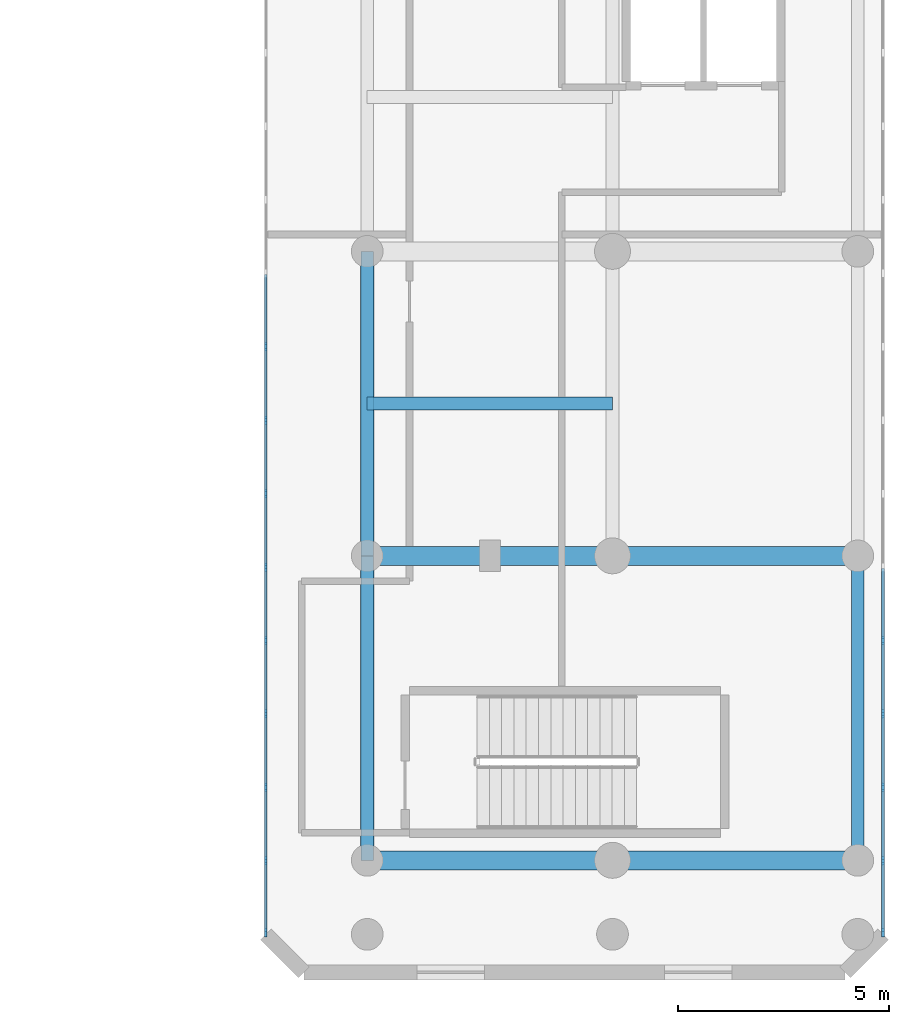
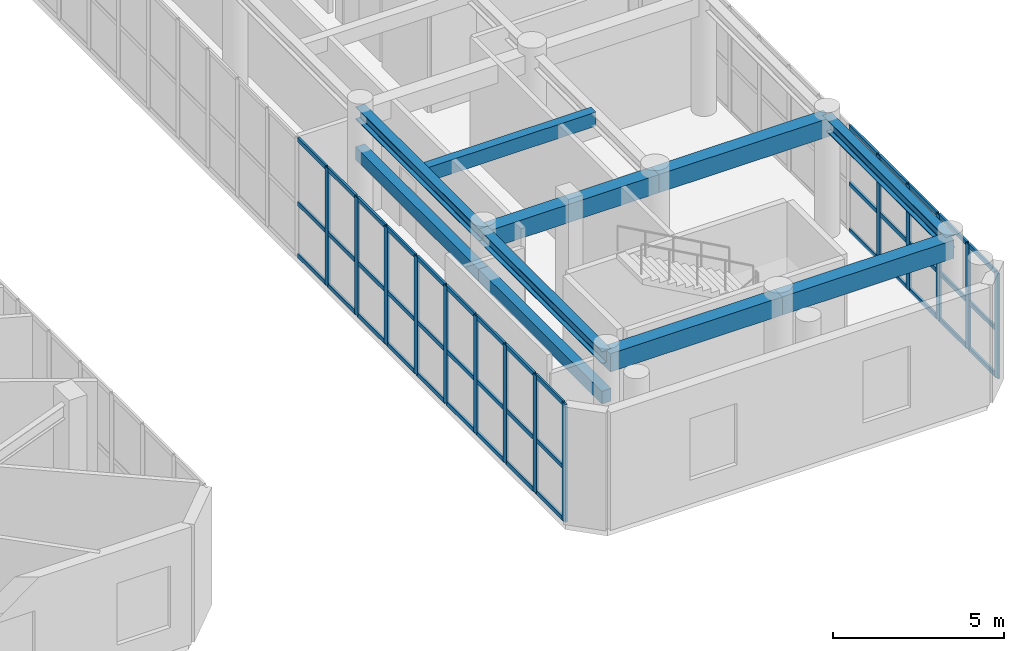
# One storey, part 6 of 26: 56 members, 10 beams, 2 elements without a shape of their own.
"""IFC4 building model written with IfcOpenShell, lengths in metres."""

import ifcopenshell
import ifcopenshell.guid

model = None  # the IFC model being written
_history = None  # IfcOwnerHistory: only IFC2X3 demands one
_inside = {}  # id of a spatial element -> (the spatial element, [elements in it])
_under = {}  # id of a project, library or spatial element -> (it, [spatial elements below it])
_declared = {}  # id of a project -> (the project, [libraries it declares])
_typed = {}  # id of a type object -> (the type object, [elements of that type])
_made_of = {}  # id of a material, layer set ... -> (it, [elements and type objects made of it])


def new_model(schema):
    """Start an empty IFC model of exactly this schema.

    Asked for "IFC4X3", IfcOpenShell would pick the latest addendum, in which some entities
    have other attributes; the version numbers below select the first issue.
    IFC2X3 requires an IfcOwnerHistory on every rooted entity: one is made here for all.
    """
    global model, _history
    if schema == "IFC4X3":
        model = ifcopenshell.file(schema_version=(4, 3, 0, 0))
    else:
        model = ifcopenshell.file(schema=schema)
    _inside.clear()
    _under.clear()
    _declared.clear()
    _typed.clear()
    _made_of.clear()
    _history = None
    if model.schema == "IFC2X3":
        org = make("IfcOrganization", Name="unknown")
        user = make(
            "IfcPersonAndOrganization",
            ThePerson=make("IfcPerson", FamilyName="unknown"),
            TheOrganization=org,
        )
        app = make(
            "IfcApplication",
            ApplicationDeveloper=org,
            Version="unknown",
            ApplicationFullName="unknown",
            ApplicationIdentifier="unknown",
        )
        _history = make(
            "IfcOwnerHistory",
            OwningUser=user,
            OwningApplication=app,
            ChangeAction="ADDED",
            CreationDate=0,
        )
    return model


def make(cls, **values):
    """One entity of the class cls with the attributes given. An attribute that is None is left unset."""
    return model.create_entity(
        cls, **{name: value for name, value in values.items() if value is not None}
    )


def rooted(cls, **values):
    """An entity with a GlobalId (a new one), such as an element, a storey or a relation."""
    return make(cls, GlobalId=ifcopenshell.guid.new(), OwnerHistory=_history, **values)


def si_unit(unit_type, name, prefix=None):
    """IfcSIUnit, for example si_unit("LENGTHUNIT", "METRE", prefix="MILLI")."""
    return make("IfcSIUnit", UnitType=unit_type, Prefix=prefix, Name=name)


def assignment(units):
    """IfcUnitAssignment: the units of a project."""
    return None if units is None else make("IfcUnitAssignment", Units=units)


def point(xyz):
    """IfcCartesianPoint."""
    return None if xyz is None else make("IfcCartesianPoint", Coordinates=xyz)


def direction(xyz):
    """IfcDirection."""
    return None if xyz is None else make("IfcDirection", DirectionRatios=xyz)


def frame(location, z_axis=None, x_axis=None):
    """IfcAxis2Placement3D, a coordinate frame: its origin and axes. An axis left out is left unset."""
    return make(
        "IfcAxis2Placement3D",
        Location=point(location),
        Axis=direction(z_axis),
        RefDirection=direction(x_axis),
    )


def frame_2d(location, x_axis=None):
    """IfcAxis2Placement2D, a coordinate frame in the plane: its origin and x axis."""
    return make(
        "IfcAxis2Placement2D", Location=point(location), RefDirection=direction(x_axis)
    )


def origin():
    """The frame at (0, 0, 0) with its axes left unset."""
    return frame((0.0, 0.0, 0.0))


def origin_with_axes():
    """The frame at (0, 0, 0) with the z axis (0, 0, 1) and the x axis (1, 0, 0) written out."""
    return frame((0.0, 0.0, 0.0), z_axis=(0.0, 0.0, 1.0), x_axis=(1.0, 0.0, 0.0))


def origin_2d():
    """The frame at (0, 0) in the plane with its x axis left unset."""
    return frame_2d((0.0, 0.0))


def place(relative_to, where):
    """IfcLocalPlacement: puts the frame where relative to a parent placement (None: the world)."""
    return make(
        "IfcLocalPlacement", PlacementRelTo=relative_to, RelativePlacement=where
    )


def context(
    kind, dimensions, precision=None, world=None, true_north=None, identifier=None
):
    """IfcGeometricRepresentationContext, for example the 3D "Model" context."""
    return make(
        "IfcGeometricRepresentationContext",
        ContextIdentifier=identifier,
        ContextType=kind,
        CoordinateSpaceDimension=dimensions,
        Precision=precision,
        WorldCoordinateSystem=world,
        TrueNorth=true_north,
    )


def subcontext(parent, identifier, kind, view, scale=None):
    """IfcGeometricRepresentationSubContext, for example "Body" below "Model"."""
    return make(
        "IfcGeometricRepresentationSubContext",
        ContextIdentifier=identifier,
        ContextType=kind,
        ParentContext=parent,
        TargetScale=scale,
        TargetView=view,
    )


def project(units=None, contexts=None):
    """IfcProject with its units and contexts."""
    return rooted(
        "IfcProject",
        Name="project",
        RepresentationContexts=contexts,
        UnitsInContext=assignment(units),
    )


def spatial(cls, under=None, at=None, **own):
    """A site, building, storey or space (cls), placed at a placement, below another one or the project."""
    s = rooted(cls, ObjectPlacement=at, **own)
    if under is not None:
        _under.setdefault(under.id(), (under, []))[1].append(s)
    return s


def profile(cls, at=None, kind="AREA", **sizes):
    """A parametric profile (cls). Its sizes go by their IFC names, for example OverallWidth=200.0."""
    return make(cls, ProfileType=kind, Position=at, **sizes)


def rectangle(**sizes):
    """IfcRectangleProfileDef."""
    return profile("IfcRectangleProfileDef", **sizes)


def i_section(**sizes):
    """IfcIShapeProfileDef."""
    return profile("IfcIShapeProfileDef", **sizes)


def extrude(swept, where, along, depth):
    """IfcExtrudedAreaSolid: the profile swept, set in the frame where, extruded along a direction by depth."""
    return make(
        "IfcExtrudedAreaSolid",
        SweptArea=swept,
        Position=where,
        ExtrudedDirection=direction(along),
        Depth=depth,
    )


def shape(context_of_items, identifier, shape_type, items):
    """IfcShapeRepresentation: the items that make up one representation, for example the "Body"."""
    return make(
        "IfcShapeRepresentation",
        ContextOfItems=context_of_items,
        RepresentationIdentifier=identifier,
        RepresentationType=shape_type,
        Items=items,
    )


def source(mapping_origin, context_of_items, identifier, shape_type, items):
    """IfcRepresentationMap: a shape defined once, which mapped items show again and again."""
    return make(
        "IfcRepresentationMap",
        MappingOrigin=mapping_origin,
        MappedRepresentation=shape(context_of_items, identifier, shape_type, items),
    )


def transform(
    local_origin,
    x_axis=None,
    y_axis=None,
    z_axis=None,
    scale=None,
    scale2=None,
    scale3=None,
    uniform=True,
):
    """IfcCartesianTransformationOperator3D, or its non-uniform kind. x_axis, y_axis, z_axis: its Axis1, 2, 3."""
    if uniform:
        return make(
            "IfcCartesianTransformationOperator3D",
            Axis1=direction(x_axis),
            Axis2=direction(y_axis),
            LocalOrigin=point(local_origin),
            Scale=scale,
            Axis3=direction(z_axis),
        )
    return make(
        "IfcCartesianTransformationOperator3DnonUniform",
        Axis1=direction(x_axis),
        Axis2=direction(y_axis),
        LocalOrigin=point(local_origin),
        Scale=scale,
        Axis3=direction(z_axis),
        Scale2=scale2,
        Scale3=scale3,
    )


def mapped(mapping_source, mapping_target):
    """IfcMappedItem: shows the shape of a source again, moved by a transform."""
    return make(
        "IfcMappedItem", MappingSource=mapping_source, MappingTarget=mapping_target
    )


def material(Name=None, Category=None):
    """IfcMaterial."""
    return make("IfcMaterial", Name=Name, Category=Category)


def layer(
    of_material, thickness, ventilated=None, Name=None, Category=None, Priority=None
):
    """IfcMaterialLayer: one layer of a wall or slab, of a material (None: an air gap)."""
    return make(
        "IfcMaterialLayer",
        Material=of_material,
        LayerThickness=thickness,
        IsVentilated=ventilated,
        Name=Name,
        Category=Category,
        Priority=Priority,
    )


def layer_set(layers, Name=None):
    """IfcMaterialLayerSet."""
    return make("IfcMaterialLayerSet", MaterialLayers=layers, LayerSetName=Name)


def material_profile(
    of_material, cross_section, Name=None, Category=None, Priority=None
):
    """IfcMaterialProfile: a cross section and its material."""
    return make(
        "IfcMaterialProfile",
        Name=Name,
        Material=of_material,
        Profile=cross_section,
        Priority=Priority,
        Category=Category,
    )


def profile_set(profiles, Name=None, composite=None):
    """IfcMaterialProfileSet."""
    return make(
        "IfcMaterialProfileSet",
        Name=Name,
        MaterialProfiles=profiles,
        CompositeProfile=composite,
    )


def made_of(thing, what):
    """Note that an element or type object is made of a material, layer set ...; save() writes the relation."""
    if what is not None:
        _made_of.setdefault(what.id(), (what, []))[1].append(thing)
    return thing


def type_object(cls, material=None, **own):
    """A type object (cls), such as IfcWallType, which elements share."""
    return made_of(rooted(cls, **own), material)


def element(
    cls,
    number,
    at=None,
    inside=None,
    cuts=None,
    type_object=None,
    material=None,
    context=None,
    identifier="Body",
    shape_type=None,
    held_by="IfcProductDefinitionShape",
    body=None,
    shapes=None,
    **own,
):
    """One element of the class cls, such as IfcWall. Its Tag is "e" and its number.

    at: its placement. inside: the storey or other place that contains it. cuts: it is an
    opening in that element (IfcRelVoidsElement). A single representation is given by context,
    identifier, shape_type and body (its items); several are given by shapes. held_by: the class
    of the entity that holds the representations. save() writes the other relations.
    """
    e = rooted(cls, Tag="e%d" % number, ObjectPlacement=at, **own)
    if body is not None:
        shapes = [shape(context, identifier, shape_type, body)]
    if shapes is not None:
        e.Representation = make(held_by, Representations=shapes)
    if inside is not None:
        _inside.setdefault(inside.id(), (inside, []))[1].append(e)
    if cuts is not None:
        rooted(
            "IfcRelVoidsElement", RelatingBuildingElement=cuts, RelatedOpeningElement=e
        )
    if type_object is not None:
        _typed.setdefault(type_object.id(), (type_object, []))[1].append(e)
    return made_of(e, material)


def aggregate(whole, parts):
    """IfcRelAggregates: a whole, such as a stair, and the parts it consists of."""
    return rooted("IfcRelAggregates", RelatingObject=whole, RelatedObjects=parts)


def save(model, path):
    """Write the relations noted so far, then the file.

    IfcRelAggregates (storeys below a building ...), IfcRelContainedInSpatialStructure (elements
    in a storey), IfcRelDefinesByType, IfcRelAssociatesMaterial and IfcRelDeclares: one each for
    every whole, place, type object, material and project.
    """
    for whole, parts in _under.values():
        aggregate(whole, parts)
    for where, things in _inside.values():
        rooted(
            "IfcRelContainedInSpatialStructure",
            RelatedElements=things,
            RelatingStructure=where,
        )
    for kind, things in _typed.values():
        rooted("IfcRelDefinesByType", RelatedObjects=things, RelatingType=kind)
    for what, things in _made_of.values():
        rooted("IfcRelAssociatesMaterial", RelatedObjects=things, RelatingMaterial=what)
    for by, libraries in _declared.values():
        rooted("IfcRelDeclares", RelatingContext=by, RelatedDefinitions=libraries)
    model.write(path)


model = new_model("IFC4")

# Units and contexts
model_context = context("Model", 3, precision=1e-05, world=origin(), true_north=direction((0.0, 1.0)))
body_context = subcontext(model_context, "Body", "Model", "MODEL_VIEW")
ifc_project = project(units=[si_unit("LENGTHUNIT", "METRE"), si_unit("AREAUNIT", "SQUARE_METRE"), si_unit("VOLUMEUNIT", "CUBIC_METRE"), si_unit("PLANEANGLEUNIT", "RADIAN"), si_unit("MASSUNIT", "GRAM", prefix="KILO")], contexts=[model_context])

# Site, building, storey
site_placement = place(None, origin())
site = spatial("IfcSite", under=ifc_project, at=site_placement, CompositionType="ELEMENT")
building_placement = place(site_placement, origin())
building = spatial("IfcBuilding", under=site, at=building_placement, Name="Karkom Vertical University and Central Library", CompositionType="ELEMENT")
storey_placement = place(building_placement, frame((0.0, 0.0, 9.0)))
storey = spatial("IfcBuildingStorey", under=building, at=storey_placement, Name="L02", CompositionType="ELEMENT", Elevation=9.0)

# Beams
ifc_material_1 = material(Name="Concrete C40/50", Category="concrete")
ifc_material_profile_1 = material_profile(ifc_material_1, rectangle(XDim=0.449951171875, YDim=0.64990234375, at=origin_2d()), Name="RCB-450x650")
ifc_profile_set_1 = profile_set([ifc_material_profile_1], Name="Concrete C40/50")
beam_type_1 = type_object("IfcBeamType", Name="STR-BM-BG-4", PredefinedType="USERDEFINED", material=ifc_profile_set_1)
shared_shape_1 = source(origin_with_axes(), body_context, "Body", "SweptSolid", [
    extrude(rectangle(XDim=0.449951171875, YDim=0.64990234375, at=origin_2d()), origin(), (0.0, 0.0, 1.0), 5.7998046875),
])
for number, where, z_axis, x_axis, name in (
    (1, (69.60009765625, 4.800048828125, 3.875), (1.0, 0.0, 0.0), (0.0, 1.0, 0.0), "Level 02 Library Transverse Girder 1.1"),
    (2, (69.60009765625, 12.0, 3.875), (1.0, 0.0, 0.0), (0.0, 1.0, 0.0), "Level 02 Library Transverse Girder 2.1"),
):
    element("IfcBeam", number, at=place(storey_placement, frame(where, z_axis=z_axis, x_axis=x_axis)), inside=storey, type_object=beam_type_1, Name=name, ObjectType="GIRDER", PredefinedType="USERDEFINED", context=body_context, shape_type="MappedRepresentation", body=[
        mapped(shared_shape_1, transform((0.0, 0.0, 0.0), scale=1.0)),
    ])
shared_shape_2 = source(origin_with_axes(), body_context, "Body", "SweptSolid", [
    extrude(rectangle(XDim=0.449951171875, YDim=0.64990234375, at=origin_2d()), origin(), (0.0, 0.0, 1.0), 5.800048828125),
])
for number, where, z_axis, x_axis, name in (
    (3, (75.39990234375, 4.800048828125, 3.875), (1.0, 0.0, 0.0), (0.0, 1.0, 0.0), "Level 02 Library Transverse Girder 1.2"),
    (4, (75.39990234375, 12.0, 3.875), (1.0, 0.0, 0.0), (0.0, 1.0, 0.0), "Level 02 Library Transverse Girder 2.2"),
):
    element("IfcBeam", number, at=place(storey_placement, frame(where, z_axis=z_axis, x_axis=x_axis)), inside=storey, type_object=beam_type_1, Name=name, ObjectType="GIRDER", PredefinedType="USERDEFINED", context=body_context, shape_type="MappedRepresentation", body=[
        mapped(shared_shape_2, transform((0.0, 0.0, 0.0), scale=1.0)),
    ])
ifc_material_2 = material(Name="Steel S355", Category="steel")
ifc_material_profile_2 = material_profile(ifc_material_2, i_section(OverallWidth=0.300048828125, OverallDepth=0.449951171875, WebThickness=0.013916015625, FlangeThickness=0.02587890625, FilletRadius=0.027099609375, at=origin_2d()), Name="HE 450 B")
ifc_profile_set_2 = profile_set([ifc_material_profile_2], Name="Steel S355")
beam_type_2 = type_object("IfcBeamType", Name="STR-BM-SB-HE450", PredefinedType="BEAM", material=ifc_profile_set_2)
shared_shape_3 = source(origin_with_axes(), body_context, "Body", "SweptSolid", [
    extrude(i_section(OverallWidth=0.300048828125, OverallDepth=0.449951171875, WebThickness=0.013916015625, FlangeThickness=0.02587890625, FilletRadius=0.027099609375, at=origin_2d()), origin(), (0.0, 0.0, 1.0), 7.199951171875),
])
for number, where, z_axis, x_axis, name in (
    (5, (69.60009765625, 4.800048828125, 3.97509765625), (0.0, 1.0, 0.0), (-1.0, 0.0, 0.0), "Level 02 Library Longitudinal Beam 1.1"),
    (6, (69.60009765625, 12.0, 3.97509765625), (0.0, 1.0, 0.0), (-1.0, 0.0, 0.0), "Level 02 Library Longitudinal Beam 1.2"),
    (7, (81.199951171875, 4.800048828125, 3.97509765625), (0.0, 1.0, 0.0), (-1.0, 0.0, 0.0), "Level 02 Library Longitudinal Beam 3.1"),
):
    element("IfcBeam", number, at=place(storey_placement, frame(where, z_axis=z_axis, x_axis=x_axis)), inside=storey, type_object=beam_type_2, Name=name, PredefinedType="BEAM", context=body_context, shape_type="MappedRepresentation", body=[
        mapped(shared_shape_3, transform((0.0, 0.0, 0.0), scale=1.0)),
    ])
ifc_material_profile_3 = material_profile(ifc_material_1, rectangle(XDim=0.300048828125, YDim=0.5, at=origin_2d()), Name="RCJ-300x500")
ifc_profile_set_3 = profile_set([ifc_material_profile_3], Name="Concrete C40/50")
beam_type_3 = type_object("IfcBeamType", Name="STR-BM-JS-1", PredefinedType="JOIST", material=ifc_profile_set_3)
shared_shape_4 = source(origin_with_axes(), body_context, "Body", "SweptSolid", [
    extrude(rectangle(XDim=0.300048828125, YDim=0.5, at=origin_2d()), origin(), (0.0, 0.0, 1.0), 5.7998046875),
])
beam_placement = place(storey_placement, frame((69.60009765625, 15.60009765625, 3.949951171875), z_axis=(1.0, 0.0, 0.0), x_axis=(0.0, 1.0, 0.0)))
element("IfcBeam", 8, at=beam_placement, inside=storey, type_object=beam_type_3, Name="Level 02 Library Reading Coffered Joist 2", PredefinedType="JOIST", context=body_context, shape_type="MappedRepresentation", body=[
    mapped(shared_shape_4, transform((0.0, 0.0, 0.0), scale=1.0)),
])
ifc_material_3 = material(Name="Precast concrete C45/55", Category="concrete")
ifc_material_profile_4 = material_profile(ifc_material_3, rectangle(XDim=0.320068359375, YDim=0.449951171875, at=origin_2d()), Name="RCL-320x450")
ifc_profile_set_4 = profile_set([ifc_material_profile_4], Name="Precast concrete C45/55")
beam_type_4 = type_object("IfcBeamType", Name="STR-BM-LN-1", PredefinedType="LINTEL", material=ifc_profile_set_4)
shared_shape_5 = source(origin_with_axes(), body_context, "Body", "SweptSolid", [
    extrude(rectangle(XDim=0.320068359375, YDim=0.449951171875, at=origin_2d()), origin(), (0.0, 0.0, 1.0), 7.199951171875),
])
for number, where, z_axis, x_axis, name in (
    (9, (69.60009765625, 4.800048828125, 2.550048828125), (0.0, 1.0, 0.0), (-1.0, 0.0, 0.0), "Level 02 Brutalist Concrete Portal Lintel 1"),
    (10, (69.60009765625, 12.0, 2.550048828125), (0.0, 1.0, 0.0), (-1.0, 0.0, 0.0), "Level 02 Brutalist Concrete Portal Lintel 2"),
):
    element("IfcBeam", number, at=place(storey_placement, frame(where, z_axis=z_axis, x_axis=x_axis)), inside=storey, type_object=beam_type_4, Name=name, PredefinedType="LINTEL", context=body_context, shape_type="MappedRepresentation", body=[
        mapped(shared_shape_5, transform((0.0, 0.0, 0.0), scale=1.0)),
    ])

# Curtain wall, members
ifc_material_4 = material(Name="Aluminium curtain-wall framing and low-E IGU", Category="aluminium")
ifc_layer = layer(ifc_material_4, 0.199951171875)
ifc_layer_set = layer_set([ifc_layer], Name="Aluminium curtain-wall framing and low-E IGU")
curtain_wall_type = type_object("IfcCurtainWallType", Name="ENV-CW-1", PredefinedType="USERDEFINED", material=ifc_layer_set)
curtain_wall_1_placement = place(storey_placement, origin())
curtain_wall_1 = element("IfcCurtainWall", 11, at=curtain_wall_1_placement, inside=storey, type_object=curtain_wall_type, Name="Level 02 CW-1 Curtain Wall Level 02-CW-1-LIB-3", ObjectType="STICK MULLION GLAZING", PredefinedType="USERDEFINED")
ifc_material_5 = material(Name="Anodised Aluminium 6063-T6", Category="aluminium")
ifc_material_profile_5 = material_profile(ifc_material_5, rectangle(XDim=0.070068359375, YDim=0.199951171875, at=origin_2d()), Name="ALU-M70x200")
ifc_profile_set_5 = profile_set([ifc_material_profile_5], Name="Anodised Aluminium 6063-T6")
member_type_1 = type_object("IfcMemberType", Name="ENV-MEM-ALU-M70x200", PredefinedType="MULLION", material=ifc_profile_set_5)
shared_shape_6 = source(origin_with_axes(), body_context, "Body", "SweptSolid", [
    extrude(rectangle(XDim=0.070068359375, YDim=0.199951171875, at=origin_2d()), origin(), (0.0, 0.0, 1.0), 3.75),
])
member_1_placement = place(storey_placement, frame((81.800048828125, 3.0849609375, 0.0), z_axis=(0.0, 0.0, 1.0), x_axis=(-1.0, 0.0, 0.0)))
member_1 = element("IfcMember", 12, at=member_1_placement, type_object=member_type_1, Name="CW-1 mullion 1", PredefinedType="MULLION", context=body_context, shape_type="MappedRepresentation", body=[
    mapped(shared_shape_6, transform((0.0, 0.0, 0.0), scale=1.0)),
])
member_2_placement = place(storey_placement, frame((81.800048828125, 4.787109375, 0.0), z_axis=(0.0, 0.0, 1.0), x_axis=(-1.0, 0.0, 0.0)))
member_2 = element("IfcMember", 13, at=member_2_placement, type_object=member_type_1, Name="CW-1 mullion 2", PredefinedType="MULLION", context=body_context, shape_type="MappedRepresentation", body=[
    mapped(shared_shape_6, transform((0.0, 0.0, 0.0), scale=1.0)),
])
member_3_placement = place(storey_placement, frame((81.800048828125, 6.524169921875, 0.0), z_axis=(0.0, 0.0, 1.0), x_axis=(-1.0, 0.0, 0.0)))
member_3 = element("IfcMember", 14, at=member_3_placement, type_object=member_type_1, Name="CW-1 mullion 3", PredefinedType="MULLION", context=body_context, shape_type="MappedRepresentation", body=[
    mapped(shared_shape_6, transform((0.0, 0.0, 0.0), scale=1.0)),
])
member_4_placement = place(storey_placement, frame((81.800048828125, 8.26123046875, 0.0), z_axis=(0.0, 0.0, 1.0), x_axis=(-1.0, 0.0, 0.0)))
member_4 = element("IfcMember", 15, at=member_4_placement, type_object=member_type_1, Name="CW-1 mullion 4", PredefinedType="MULLION", context=body_context, shape_type="MappedRepresentation", body=[
    mapped(shared_shape_6, transform((0.0, 0.0, 0.0), scale=1.0)),
])
member_5_placement = place(storey_placement, frame((81.800048828125, 9.998046875, 0.0), z_axis=(0.0, 0.0, 1.0), x_axis=(-1.0, 0.0, 0.0)))
member_5 = element("IfcMember", 16, at=member_5_placement, type_object=member_type_1, Name="CW-1 mullion 5", PredefinedType="MULLION", context=body_context, shape_type="MappedRepresentation", body=[
    mapped(shared_shape_6, transform((0.0, 0.0, 0.0), scale=1.0)),
])

curtain_wall_2_placement = place(storey_placement, origin())
curtain_wall_2 = element("IfcCurtainWall", 17, at=curtain_wall_2_placement, inside=storey, type_object=curtain_wall_type, Name="Level 02 CW-1 Curtain Wall Level 02-CW-1-LIB-7", ObjectType="STICK MULLION GLAZING", PredefinedType="USERDEFINED")
shared_shape_7 = source(origin_with_axes(), body_context, "Body", "SweptSolid", [
    extrude(rectangle(XDim=0.070068359375, YDim=0.199951171875, at=origin_2d()), origin(), (0.0, 0.0, 1.0), 4.199951171875),
])
member_6_placement = place(storey_placement, frame((67.199951171875, 16.9462890625, 0.0), z_axis=(0.0, 0.0, 1.0), x_axis=(1.0, 0.0, 0.0)))
member_6 = element("IfcMember", 18, at=member_6_placement, type_object=member_type_1, Name="CW-1 mullion 20", PredefinedType="MULLION", context=body_context, shape_type="MappedRepresentation", body=[
    mapped(shared_shape_7, transform((0.0, 0.0, 0.0), scale=1.0)),
])
member_7_placement = place(storey_placement, frame((67.199951171875, 15.209228515625, 0.0), z_axis=(0.0, 0.0, 1.0), x_axis=(1.0, 0.0, 0.0)))
member_7 = element("IfcMember", 19, at=member_7_placement, type_object=member_type_1, Name="CW-1 mullion 21", PredefinedType="MULLION", context=body_context, shape_type="MappedRepresentation", body=[
    mapped(shared_shape_7, transform((0.0, 0.0, 0.0), scale=1.0)),
])
member_8_placement = place(storey_placement, frame((67.199951171875, 13.47216796875, 0.0), z_axis=(0.0, 0.0, 1.0), x_axis=(1.0, 0.0, 0.0)))
member_8 = element("IfcMember", 20, at=member_8_placement, type_object=member_type_1, Name="CW-1 mullion 22", PredefinedType="MULLION", context=body_context, shape_type="MappedRepresentation", body=[
    mapped(shared_shape_7, transform((0.0, 0.0, 0.0), scale=1.0)),
])
member_9_placement = place(storey_placement, frame((67.199951171875, 11.735107421875, 0.0), z_axis=(0.0, 0.0, 1.0), x_axis=(1.0, 0.0, 0.0)))
member_9 = element("IfcMember", 21, at=member_9_placement, type_object=member_type_1, Name="CW-1 mullion 23", PredefinedType="MULLION", context=body_context, shape_type="MappedRepresentation", body=[
    mapped(shared_shape_7, transform((0.0, 0.0, 0.0), scale=1.0)),
])
member_10_placement = place(storey_placement, frame((67.199951171875, 9.998046875, 0.0), z_axis=(0.0, 0.0, 1.0), x_axis=(1.0, 0.0, 0.0)))
member_10 = element("IfcMember", 22, at=member_10_placement, type_object=member_type_1, Name="CW-1 mullion 24", PredefinedType="MULLION", context=body_context, shape_type="MappedRepresentation", body=[
    mapped(shared_shape_7, transform((0.0, 0.0, 0.0), scale=1.0)),
])
member_11_placement = place(storey_placement, frame((67.199951171875, 8.26123046875, 0.0), z_axis=(0.0, 0.0, 1.0), x_axis=(1.0, 0.0, 0.0)))
member_11 = element("IfcMember", 23, at=member_11_placement, type_object=member_type_1, Name="CW-1 mullion 25", PredefinedType="MULLION", context=body_context, shape_type="MappedRepresentation", body=[
    mapped(shared_shape_7, transform((0.0, 0.0, 0.0), scale=1.0)),
])
member_12_placement = place(storey_placement, frame((67.199951171875, 6.524169921875, 0.0), z_axis=(0.0, 0.0, 1.0), x_axis=(1.0, 0.0, 0.0)))
member_12 = element("IfcMember", 24, at=member_12_placement, type_object=member_type_1, Name="CW-1 mullion 26", PredefinedType="MULLION", context=body_context, shape_type="MappedRepresentation", body=[
    mapped(shared_shape_7, transform((0.0, 0.0, 0.0), scale=1.0)),
])
member_13_placement = place(storey_placement, frame((67.199951171875, 4.787109375, 0.0), z_axis=(0.0, 0.0, 1.0), x_axis=(1.0, 0.0, 0.0)))
member_13 = element("IfcMember", 25, at=member_13_placement, type_object=member_type_1, Name="CW-1 mullion 27", PredefinedType="MULLION", context=body_context, shape_type="MappedRepresentation", body=[
    mapped(shared_shape_7, transform((0.0, 0.0, 0.0), scale=1.0)),
])
member_14_placement = place(storey_placement, frame((67.199951171875, 3.0849609375, 0.0), z_axis=(0.0, 0.0, 1.0), x_axis=(1.0, 0.0, 0.0)))
member_14 = element("IfcMember", 26, at=member_14_placement, type_object=member_type_1, Name="CW-1 mullion 28", PredefinedType="MULLION", context=body_context, shape_type="MappedRepresentation", body=[
    mapped(shared_shape_7, transform((0.0, 0.0, 0.0), scale=1.0)),
])

# Member
ifc_material_profile_6 = material_profile(ifc_material_5, rectangle(XDim=0.070068359375, YDim=0.14990234375, at=origin_2d()), Name="ALU-T70x150")
ifc_profile_set_6 = profile_set([ifc_material_profile_6], Name="Anodised Aluminium 6063-T6")
member_type_2 = type_object("IfcMemberType", Name="ENV-MEM-ALU-T70x150", PredefinedType="USERDEFINED", material=ifc_profile_set_6)
shared_shape_8 = source(origin_with_axes(), body_context, "Body", "SweptSolid", [
    extrude(rectangle(XDim=0.070068359375, YDim=0.14990234375, at=origin_2d()), origin(), (0.0, 0.0, 1.0), 1.6318359375),
])
member_15_placement = place(storey_placement, frame((81.800048828125, 3.1201171875, 0.034912109375), z_axis=(0.0, 1.0, 0.0), x_axis=(-1.0, 0.0, 0.0)))
member_15 = element("IfcMember", 27, at=member_15_placement, type_object=member_type_2, Name="CW-1 transom 1.1", ObjectType="TRANSOM", PredefinedType="USERDEFINED", context=body_context, shape_type="MappedRepresentation", body=[
    mapped(shared_shape_8, transform((0.0, 0.0, 0.0), scale=1.0)),
])

member_16_placement = place(storey_placement, frame((81.800048828125, 3.1201171875, 1.6875), z_axis=(0.0, 1.0, 0.0), x_axis=(-1.0, 0.0, 0.0)))
member_16 = element("IfcMember", 28, at=member_16_placement, type_object=member_type_2, Name="CW-1 transom 1.2", ObjectType="TRANSOM", PredefinedType="USERDEFINED", context=body_context, shape_type="MappedRepresentation", body=[
    mapped(shared_shape_8, transform((0.0, 0.0, 0.0), scale=1.0)),
])

member_17_placement = place(storey_placement, frame((81.800048828125, 3.1201171875, 3.715087890625), z_axis=(0.0, 1.0, 0.0), x_axis=(-1.0, 0.0, 0.0)))
member_17 = element("IfcMember", 29, at=member_17_placement, type_object=member_type_2, Name="CW-1 transom 1.3", ObjectType="TRANSOM", PredefinedType="USERDEFINED", context=body_context, shape_type="MappedRepresentation", body=[
    mapped(shared_shape_8, transform((0.0, 0.0, 0.0), scale=1.0)),
])

member_18_placement = place(storey_placement, frame((67.199951171875, 4.751953125, 0.034912109375), z_axis=(0.0, -1.0, 0.0), x_axis=(1.0, 0.0, 0.0)))
member_18 = element("IfcMember", 30, at=member_18_placement, type_object=member_type_2, Name="CW-1 transom 27.1", ObjectType="TRANSOM", PredefinedType="USERDEFINED", context=body_context, shape_type="MappedRepresentation", body=[
    mapped(shared_shape_8, transform((0.0, 0.0, 0.0), scale=1.0)),
])

member_19_placement = place(storey_placement, frame((67.199951171875, 4.751953125, 1.889892578125), z_axis=(0.0, -1.0, 0.0), x_axis=(1.0, 0.0, 0.0)))
member_19 = element("IfcMember", 31, at=member_19_placement, type_object=member_type_2, Name="CW-1 transom 27.2", ObjectType="TRANSOM", PredefinedType="USERDEFINED", context=body_context, shape_type="MappedRepresentation", body=[
    mapped(shared_shape_8, transform((0.0, 0.0, 0.0), scale=1.0)),
])

member_20_placement = place(storey_placement, frame((67.199951171875, 4.751953125, 4.1650390625), z_axis=(0.0, -1.0, 0.0), x_axis=(1.0, 0.0, 0.0)))
member_20 = element("IfcMember", 32, at=member_20_placement, type_object=member_type_2, Name="CW-1 transom 27.3", ObjectType="TRANSOM", PredefinedType="USERDEFINED", context=body_context, shape_type="MappedRepresentation", body=[
    mapped(shared_shape_8, transform((0.0, 0.0, 0.0), scale=1.0)),
])

shared_shape_9 = source(origin_with_axes(), body_context, "Body", "SweptSolid", [
    extrude(rectangle(XDim=0.070068359375, YDim=0.14990234375, at=origin_2d()), origin(), (0.0, 0.0, 1.0), 1.6669921875),
])
member_21_placement = place(storey_placement, frame((81.800048828125, 4.822021484375, 0.034912109375), z_axis=(0.0, 1.0, 0.0), x_axis=(-1.0, 0.0, 0.0)))
member_21 = element("IfcMember", 33, at=member_21_placement, type_object=member_type_2, Name="CW-1 transom 2.1", ObjectType="TRANSOM", PredefinedType="USERDEFINED", context=body_context, shape_type="MappedRepresentation", body=[
    mapped(shared_shape_9, transform((0.0, 0.0, 0.0), scale=1.0)),
])

member_22_placement = place(storey_placement, frame((81.800048828125, 4.822021484375, 1.6875), z_axis=(0.0, 1.0, 0.0), x_axis=(-1.0, 0.0, 0.0)))
member_22 = element("IfcMember", 34, at=member_22_placement, type_object=member_type_2, Name="CW-1 transom 2.2", ObjectType="TRANSOM", PredefinedType="USERDEFINED", context=body_context, shape_type="MappedRepresentation", body=[
    mapped(shared_shape_9, transform((0.0, 0.0, 0.0), scale=1.0)),
])

member_23_placement = place(storey_placement, frame((81.800048828125, 4.822021484375, 3.715087890625), z_axis=(0.0, 1.0, 0.0), x_axis=(-1.0, 0.0, 0.0)))
member_23 = element("IfcMember", 35, at=member_23_placement, type_object=member_type_2, Name="CW-1 transom 2.3", ObjectType="TRANSOM", PredefinedType="USERDEFINED", context=body_context, shape_type="MappedRepresentation", body=[
    mapped(shared_shape_9, transform((0.0, 0.0, 0.0), scale=1.0)),
])

member_24_placement = place(storey_placement, frame((81.800048828125, 6.55908203125, 0.034912109375), z_axis=(0.0, 1.0, 0.0), x_axis=(-1.0, 0.0, 0.0)))
member_24 = element("IfcMember", 36, at=member_24_placement, type_object=member_type_2, Name="CW-1 transom 3.1", ObjectType="TRANSOM", PredefinedType="USERDEFINED", context=body_context, shape_type="MappedRepresentation", body=[
    mapped(shared_shape_9, transform((0.0, 0.0, 0.0), scale=1.0)),
])

member_25_placement = place(storey_placement, frame((81.800048828125, 6.55908203125, 1.6875), z_axis=(0.0, 1.0, 0.0), x_axis=(-1.0, 0.0, 0.0)))
member_25 = element("IfcMember", 37, at=member_25_placement, type_object=member_type_2, Name="CW-1 transom 3.2", ObjectType="TRANSOM", PredefinedType="USERDEFINED", context=body_context, shape_type="MappedRepresentation", body=[
    mapped(shared_shape_9, transform((0.0, 0.0, 0.0), scale=1.0)),
])

member_26_placement = place(storey_placement, frame((81.800048828125, 6.55908203125, 3.715087890625), z_axis=(0.0, 1.0, 0.0), x_axis=(-1.0, 0.0, 0.0)))
member_26 = element("IfcMember", 38, at=member_26_placement, type_object=member_type_2, Name="CW-1 transom 3.3", ObjectType="TRANSOM", PredefinedType="USERDEFINED", context=body_context, shape_type="MappedRepresentation", body=[
    mapped(shared_shape_9, transform((0.0, 0.0, 0.0), scale=1.0)),
])

member_27_placement = place(storey_placement, frame((81.800048828125, 8.296142578125, 0.034912109375), z_axis=(0.0, 1.0, 0.0), x_axis=(-1.0, 0.0, 0.0)))
member_27 = element("IfcMember", 39, at=member_27_placement, type_object=member_type_2, Name="CW-1 transom 4.1", ObjectType="TRANSOM", PredefinedType="USERDEFINED", context=body_context, shape_type="MappedRepresentation", body=[
    mapped(shared_shape_9, transform((0.0, 0.0, 0.0), scale=1.0)),
])

member_28_placement = place(storey_placement, frame((81.800048828125, 8.296142578125, 1.6875), z_axis=(0.0, 1.0, 0.0), x_axis=(-1.0, 0.0, 0.0)))
member_28 = element("IfcMember", 40, at=member_28_placement, type_object=member_type_2, Name="CW-1 transom 4.2", ObjectType="TRANSOM", PredefinedType="USERDEFINED", context=body_context, shape_type="MappedRepresentation", body=[
    mapped(shared_shape_9, transform((0.0, 0.0, 0.0), scale=1.0)),
])

member_29_placement = place(storey_placement, frame((81.800048828125, 8.296142578125, 3.715087890625), z_axis=(0.0, 1.0, 0.0), x_axis=(-1.0, 0.0, 0.0)))
member_29 = element("IfcMember", 41, at=member_29_placement, type_object=member_type_2, Name="CW-1 transom 4.3", ObjectType="TRANSOM", PredefinedType="USERDEFINED", context=body_context, shape_type="MappedRepresentation", body=[
    mapped(shared_shape_9, transform((0.0, 0.0, 0.0), scale=1.0)),
])

member_30_placement = place(storey_placement, frame((81.800048828125, 10.033203125, 0.034912109375), z_axis=(0.0, 1.0, 0.0), x_axis=(-1.0, 0.0, 0.0)))
member_30 = element("IfcMember", 42, at=member_30_placement, type_object=member_type_2, Name="CW-1 transom 5.1", ObjectType="TRANSOM", PredefinedType="USERDEFINED", context=body_context, shape_type="MappedRepresentation", body=[
    mapped(shared_shape_9, transform((0.0, 0.0, 0.0), scale=1.0)),
])

member_31_placement = place(storey_placement, frame((81.800048828125, 10.033203125, 1.6875), z_axis=(0.0, 1.0, 0.0), x_axis=(-1.0, 0.0, 0.0)))
member_31 = element("IfcMember", 43, at=member_31_placement, type_object=member_type_2, Name="CW-1 transom 5.2", ObjectType="TRANSOM", PredefinedType="USERDEFINED", context=body_context, shape_type="MappedRepresentation", body=[
    mapped(shared_shape_9, transform((0.0, 0.0, 0.0), scale=1.0)),
])

member_32_placement = place(storey_placement, frame((81.800048828125, 10.033203125, 3.715087890625), z_axis=(0.0, 1.0, 0.0), x_axis=(-1.0, 0.0, 0.0)))
member_32 = element("IfcMember", 44, at=member_32_placement, type_object=member_type_2, Name="CW-1 transom 5.3", ObjectType="TRANSOM", PredefinedType="USERDEFINED", context=body_context, shape_type="MappedRepresentation", body=[
    mapped(shared_shape_9, transform((0.0, 0.0, 0.0), scale=1.0)),
])

aggregate(curtain_wall_1, [member_1, member_2, member_3, member_4, member_5, member_15, member_16, member_17, member_21, member_22, member_23, member_24, member_25, member_26, member_27, member_28, member_29, member_30, member_31, member_32])

member_33_placement = place(storey_placement, frame((67.199951171875, 15.17431640625, 0.034912109375), z_axis=(0.0, -1.0, 0.0), x_axis=(1.0, 0.0, 0.0)))
member_33 = element("IfcMember", 45, at=member_33_placement, type_object=member_type_2, Name="CW-1 transom 21.1", ObjectType="TRANSOM", PredefinedType="USERDEFINED", context=body_context, shape_type="MappedRepresentation", body=[
    mapped(shared_shape_9, transform((0.0, 0.0, 0.0), scale=1.0)),
])

member_34_placement = place(storey_placement, frame((67.199951171875, 15.17431640625, 1.889892578125), z_axis=(0.0, -1.0, 0.0), x_axis=(1.0, 0.0, 0.0)))
member_34 = element("IfcMember", 46, at=member_34_placement, type_object=member_type_2, Name="CW-1 transom 21.2", ObjectType="TRANSOM", PredefinedType="USERDEFINED", context=body_context, shape_type="MappedRepresentation", body=[
    mapped(shared_shape_9, transform((0.0, 0.0, 0.0), scale=1.0)),
])

member_35_placement = place(storey_placement, frame((67.199951171875, 15.17431640625, 4.1650390625), z_axis=(0.0, -1.0, 0.0), x_axis=(1.0, 0.0, 0.0)))
member_35 = element("IfcMember", 47, at=member_35_placement, type_object=member_type_2, Name="CW-1 transom 21.3", ObjectType="TRANSOM", PredefinedType="USERDEFINED", context=body_context, shape_type="MappedRepresentation", body=[
    mapped(shared_shape_9, transform((0.0, 0.0, 0.0), scale=1.0)),
])

member_36_placement = place(storey_placement, frame((67.199951171875, 13.437255859375, 0.034912109375), z_axis=(0.0, -1.0, 0.0), x_axis=(1.0, 0.0, 0.0)))
member_36 = element("IfcMember", 48, at=member_36_placement, type_object=member_type_2, Name="CW-1 transom 22.1", ObjectType="TRANSOM", PredefinedType="USERDEFINED", context=body_context, shape_type="MappedRepresentation", body=[
    mapped(shared_shape_9, transform((0.0, 0.0, 0.0), scale=1.0)),
])

member_37_placement = place(storey_placement, frame((67.199951171875, 13.437255859375, 1.889892578125), z_axis=(0.0, -1.0, 0.0), x_axis=(1.0, 0.0, 0.0)))
member_37 = element("IfcMember", 49, at=member_37_placement, type_object=member_type_2, Name="CW-1 transom 22.2", ObjectType="TRANSOM", PredefinedType="USERDEFINED", context=body_context, shape_type="MappedRepresentation", body=[
    mapped(shared_shape_9, transform((0.0, 0.0, 0.0), scale=1.0)),
])

member_38_placement = place(storey_placement, frame((67.199951171875, 13.437255859375, 4.1650390625), z_axis=(0.0, -1.0, 0.0), x_axis=(1.0, 0.0, 0.0)))
member_38 = element("IfcMember", 50, at=member_38_placement, type_object=member_type_2, Name="CW-1 transom 22.3", ObjectType="TRANSOM", PredefinedType="USERDEFINED", context=body_context, shape_type="MappedRepresentation", body=[
    mapped(shared_shape_9, transform((0.0, 0.0, 0.0), scale=1.0)),
])

member_39_placement = place(storey_placement, frame((67.199951171875, 11.7001953125, 0.034912109375), z_axis=(0.0, -1.0, 0.0), x_axis=(1.0, 0.0, 0.0)))
member_39 = element("IfcMember", 51, at=member_39_placement, type_object=member_type_2, Name="CW-1 transom 23.1", ObjectType="TRANSOM", PredefinedType="USERDEFINED", context=body_context, shape_type="MappedRepresentation", body=[
    mapped(shared_shape_9, transform((0.0, 0.0, 0.0), scale=1.0)),
])

member_40_placement = place(storey_placement, frame((67.199951171875, 11.7001953125, 1.889892578125), z_axis=(0.0, -1.0, 0.0), x_axis=(1.0, 0.0, 0.0)))
member_40 = element("IfcMember", 52, at=member_40_placement, type_object=member_type_2, Name="CW-1 transom 23.2", ObjectType="TRANSOM", PredefinedType="USERDEFINED", context=body_context, shape_type="MappedRepresentation", body=[
    mapped(shared_shape_9, transform((0.0, 0.0, 0.0), scale=1.0)),
])

member_41_placement = place(storey_placement, frame((67.199951171875, 11.7001953125, 4.1650390625), z_axis=(0.0, -1.0, 0.0), x_axis=(1.0, 0.0, 0.0)))
member_41 = element("IfcMember", 53, at=member_41_placement, type_object=member_type_2, Name="CW-1 transom 23.3", ObjectType="TRANSOM", PredefinedType="USERDEFINED", context=body_context, shape_type="MappedRepresentation", body=[
    mapped(shared_shape_9, transform((0.0, 0.0, 0.0), scale=1.0)),
])

member_42_placement = place(storey_placement, frame((67.199951171875, 9.963134765625, 0.034912109375), z_axis=(0.0, -1.0, 0.0), x_axis=(1.0, 0.0, 0.0)))
member_42 = element("IfcMember", 54, at=member_42_placement, type_object=member_type_2, Name="CW-1 transom 24.1", ObjectType="TRANSOM", PredefinedType="USERDEFINED", context=body_context, shape_type="MappedRepresentation", body=[
    mapped(shared_shape_9, transform((0.0, 0.0, 0.0), scale=1.0)),
])

member_43_placement = place(storey_placement, frame((67.199951171875, 9.963134765625, 1.889892578125), z_axis=(0.0, -1.0, 0.0), x_axis=(1.0, 0.0, 0.0)))
member_43 = element("IfcMember", 55, at=member_43_placement, type_object=member_type_2, Name="CW-1 transom 24.2", ObjectType="TRANSOM", PredefinedType="USERDEFINED", context=body_context, shape_type="MappedRepresentation", body=[
    mapped(shared_shape_9, transform((0.0, 0.0, 0.0), scale=1.0)),
])

member_44_placement = place(storey_placement, frame((67.199951171875, 9.963134765625, 4.1650390625), z_axis=(0.0, -1.0, 0.0), x_axis=(1.0, 0.0, 0.0)))
member_44 = element("IfcMember", 56, at=member_44_placement, type_object=member_type_2, Name="CW-1 transom 24.3", ObjectType="TRANSOM", PredefinedType="USERDEFINED", context=body_context, shape_type="MappedRepresentation", body=[
    mapped(shared_shape_9, transform((0.0, 0.0, 0.0), scale=1.0)),
])

member_45_placement = place(storey_placement, frame((67.199951171875, 8.22607421875, 0.034912109375), z_axis=(0.0, -1.0, 0.0), x_axis=(1.0, 0.0, 0.0)))
member_45 = element("IfcMember", 57, at=member_45_placement, type_object=member_type_2, Name="CW-1 transom 25.1", ObjectType="TRANSOM", PredefinedType="USERDEFINED", context=body_context, shape_type="MappedRepresentation", body=[
    mapped(shared_shape_9, transform((0.0, 0.0, 0.0), scale=1.0)),
])

member_46_placement = place(storey_placement, frame((67.199951171875, 8.22607421875, 1.889892578125), z_axis=(0.0, -1.0, 0.0), x_axis=(1.0, 0.0, 0.0)))
member_46 = element("IfcMember", 58, at=member_46_placement, type_object=member_type_2, Name="CW-1 transom 25.2", ObjectType="TRANSOM", PredefinedType="USERDEFINED", context=body_context, shape_type="MappedRepresentation", body=[
    mapped(shared_shape_9, transform((0.0, 0.0, 0.0), scale=1.0)),
])

member_47_placement = place(storey_placement, frame((67.199951171875, 8.22607421875, 4.1650390625), z_axis=(0.0, -1.0, 0.0), x_axis=(1.0, 0.0, 0.0)))
member_47 = element("IfcMember", 59, at=member_47_placement, type_object=member_type_2, Name="CW-1 transom 25.3", ObjectType="TRANSOM", PredefinedType="USERDEFINED", context=body_context, shape_type="MappedRepresentation", body=[
    mapped(shared_shape_9, transform((0.0, 0.0, 0.0), scale=1.0)),
])

member_48_placement = place(storey_placement, frame((67.199951171875, 6.489013671875, 0.034912109375), z_axis=(0.0, -1.0, 0.0), x_axis=(1.0, 0.0, 0.0)))
member_48 = element("IfcMember", 60, at=member_48_placement, type_object=member_type_2, Name="CW-1 transom 26.1", ObjectType="TRANSOM", PredefinedType="USERDEFINED", context=body_context, shape_type="MappedRepresentation", body=[
    mapped(shared_shape_9, transform((0.0, 0.0, 0.0), scale=1.0)),
])

member_49_placement = place(storey_placement, frame((67.199951171875, 6.489013671875, 1.889892578125), z_axis=(0.0, -1.0, 0.0), x_axis=(1.0, 0.0, 0.0)))
member_49 = element("IfcMember", 61, at=member_49_placement, type_object=member_type_2, Name="CW-1 transom 26.2", ObjectType="TRANSOM", PredefinedType="USERDEFINED", context=body_context, shape_type="MappedRepresentation", body=[
    mapped(shared_shape_9, transform((0.0, 0.0, 0.0), scale=1.0)),
])

member_50_placement = place(storey_placement, frame((67.199951171875, 6.489013671875, 4.1650390625), z_axis=(0.0, -1.0, 0.0), x_axis=(1.0, 0.0, 0.0)))
member_50 = element("IfcMember", 62, at=member_50_placement, type_object=member_type_2, Name="CW-1 transom 26.3", ObjectType="TRANSOM", PredefinedType="USERDEFINED", context=body_context, shape_type="MappedRepresentation", body=[
    mapped(shared_shape_9, transform((0.0, 0.0, 0.0), scale=1.0)),
])

shared_shape_10 = source(origin_with_axes(), body_context, "Body", "SweptSolid", [
    extrude(rectangle(XDim=0.070068359375, YDim=0.14990234375, at=origin_2d()), origin(), (0.0, 0.0, 1.0), 1.667236328125),
])
member_51_placement = place(storey_placement, frame((67.199951171875, 18.6484375, 0.034912109375), z_axis=(0.0, -1.0, 0.0), x_axis=(1.0, 0.0, 0.0)))
member_51 = element("IfcMember", 63, at=member_51_placement, type_object=member_type_2, Name="CW-1 transom 19.1", ObjectType="TRANSOM", PredefinedType="USERDEFINED", context=body_context, shape_type="MappedRepresentation", body=[
    mapped(shared_shape_10, transform((0.0, 0.0, 0.0), scale=1.0)),
])

member_52_placement = place(storey_placement, frame((67.199951171875, 18.6484375, 1.889892578125), z_axis=(0.0, -1.0, 0.0), x_axis=(1.0, 0.0, 0.0)))
member_52 = element("IfcMember", 64, at=member_52_placement, type_object=member_type_2, Name="CW-1 transom 19.2", ObjectType="TRANSOM", PredefinedType="USERDEFINED", context=body_context, shape_type="MappedRepresentation", body=[
    mapped(shared_shape_10, transform((0.0, 0.0, 0.0), scale=1.0)),
])

member_53_placement = place(storey_placement, frame((67.199951171875, 18.6484375, 4.1650390625), z_axis=(0.0, -1.0, 0.0), x_axis=(1.0, 0.0, 0.0)))
member_53 = element("IfcMember", 65, at=member_53_placement, type_object=member_type_2, Name="CW-1 transom 19.3", ObjectType="TRANSOM", PredefinedType="USERDEFINED", context=body_context, shape_type="MappedRepresentation", body=[
    mapped(shared_shape_10, transform((0.0, 0.0, 0.0), scale=1.0)),
])

member_54_placement = place(storey_placement, frame((67.199951171875, 16.911376953125, 0.034912109375), z_axis=(0.0, -1.0, 0.0), x_axis=(1.0, 0.0, 0.0)))
member_54 = element("IfcMember", 66, at=member_54_placement, type_object=member_type_2, Name="CW-1 transom 20.1", ObjectType="TRANSOM", PredefinedType="USERDEFINED", context=body_context, shape_type="MappedRepresentation", body=[
    mapped(shared_shape_10, transform((0.0, 0.0, 0.0), scale=1.0)),
])

member_55_placement = place(storey_placement, frame((67.199951171875, 16.911376953125, 1.889892578125), z_axis=(0.0, -1.0, 0.0), x_axis=(1.0, 0.0, 0.0)))
member_55 = element("IfcMember", 67, at=member_55_placement, type_object=member_type_2, Name="CW-1 transom 20.2", ObjectType="TRANSOM", PredefinedType="USERDEFINED", context=body_context, shape_type="MappedRepresentation", body=[
    mapped(shared_shape_10, transform((0.0, 0.0, 0.0), scale=1.0)),
])

member_56_placement = place(storey_placement, frame((67.199951171875, 16.911376953125, 4.1650390625), z_axis=(0.0, -1.0, 0.0), x_axis=(1.0, 0.0, 0.0)))
member_56 = element("IfcMember", 68, at=member_56_placement, type_object=member_type_2, Name="CW-1 transom 20.3", ObjectType="TRANSOM", PredefinedType="USERDEFINED", context=body_context, shape_type="MappedRepresentation", body=[
    mapped(shared_shape_10, transform((0.0, 0.0, 0.0), scale=1.0)),
])

aggregate(curtain_wall_2, [member_6, member_7, member_8, member_9, member_10, member_11, member_12, member_13, member_14, member_51, member_52, member_53, member_54, member_55, member_56, member_33, member_34, member_35, member_36, member_37, member_38, member_39, member_40, member_41, member_42, member_43, member_44, member_45, member_46, member_47, member_48, member_49, member_50, member_18, member_19, member_20])

save(model, "model.ifc")
